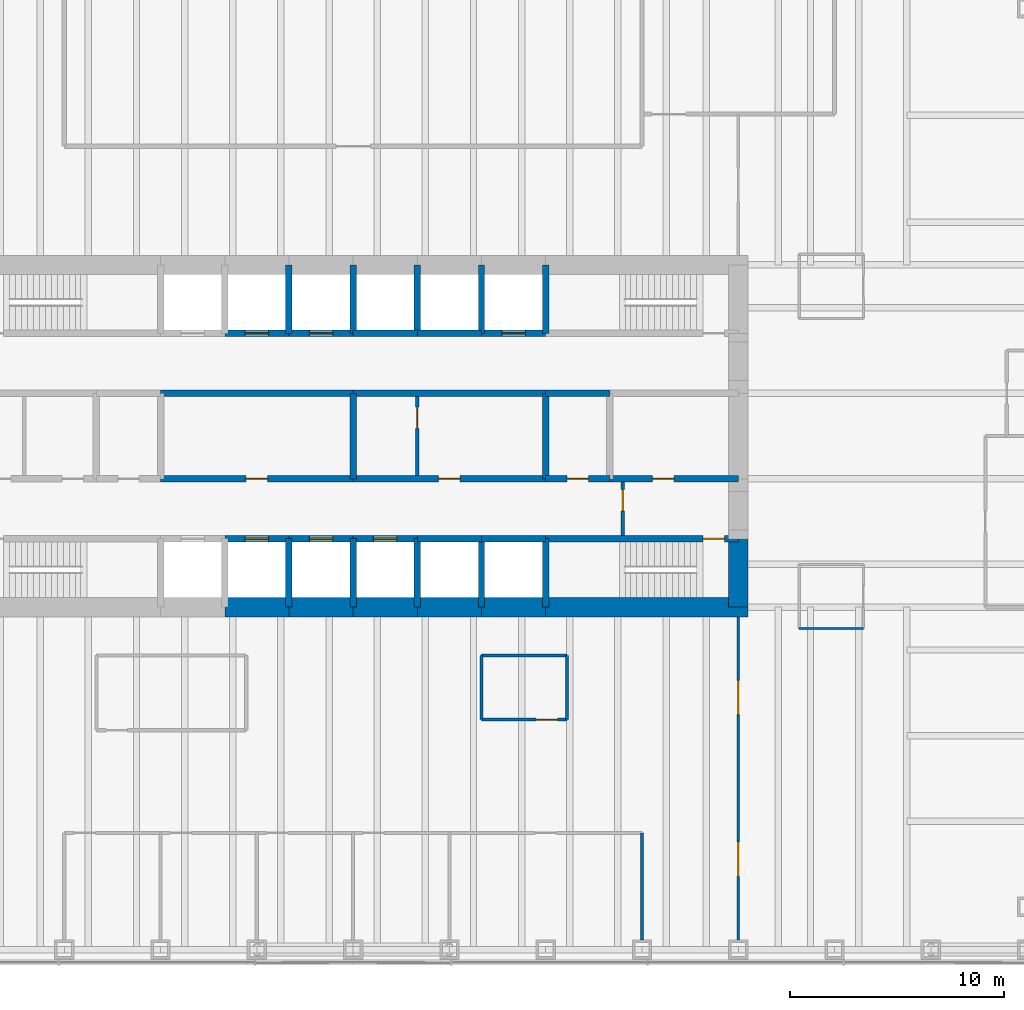
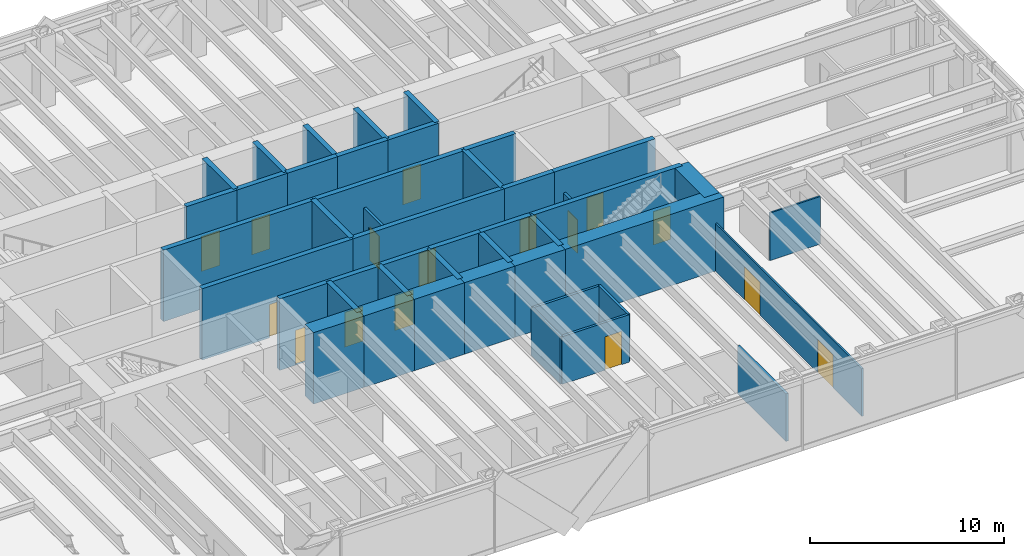
# One storey, part 10 of 13: 46 walls, 16 doors, 16 openings.
"""IFC4 building model written with IfcOpenShell, lengths in metres."""

from ifc_helpers import new_model, si_unit, direction, frame, frame_2d, origin, place, context, subcontext, project, spatial, rectangle, extrude, material, layer, layer_set, type_object, element, fill, save


model = new_model("IFC4")

# Units and contexts
model_context = context("Model", 3, precision=1e-05, world=origin(), true_north=direction((0.0, 1.0)))
body_context = subcontext(model_context, "Body", "Model", "MODEL_VIEW")
ifc_project = project(units=[si_unit("LENGTHUNIT", "METRE"), si_unit("AREAUNIT", "SQUARE_METRE"), si_unit("VOLUMEUNIT", "CUBIC_METRE"), si_unit("PLANEANGLEUNIT", "RADIAN"), si_unit("MASSUNIT", "GRAM", prefix="KILO")], contexts=[model_context])

# Site, building, storey
site_placement = place(None, origin())
site = spatial("IfcSite", under=ifc_project, at=site_placement, CompositionType="ELEMENT")
building_placement = place(site_placement, origin())
building = spatial("IfcBuilding", under=site, at=building_placement, Name="Rheinbord Bourse Tower", CompositionType="ELEMENT")
storey_placement = place(building_placement, frame((0.0, 0.0, 32.0)))
storey = spatial("IfcBuildingStorey", under=building, at=storey_placement, Name="L06", CompositionType="ELEMENT", Elevation=32.0)

# Wall, opening, door
ifc_material_1 = material(Name="Concrete C50/60", Category="concrete")
ifc_layer_1 = layer(ifc_material_1, 0.300048828125)
ifc_layer_set_1 = layer_set([ifc_layer_1], Name="CORE INNER WALL 300")
wall_type_1 = type_object("IfcWallType", Name="CORE INNER WALL 300", PredefinedType="SOLIDWALL", material=ifc_layer_set_1)
wall_1_placement = place(storey_placement, frame((30.0, 19.199951171875, 0.0), z_axis=(0.0, 0.0, 1.0), x_axis=(1.0, 0.0, 0.0)))
wall_1 = element("IfcWall", 1, at=wall_1_placement, inside=storey, type_object=wall_type_1, Name="Core wall A3 L06", PredefinedType="SOLIDWALL", context=body_context, shape_type="SweptSolid", body=[
    extrude(rectangle(XDim=3.0, YDim=0.300048828125, at=frame_2d((1.5, 0.0))), origin(), (0.0, 0.0, 1.0), 4.5),
])
opening_1_placement = place(wall_1_placement, frame((0.949951171875, 0.0, 0.0)))
opening_1 = element("IfcOpeningElement", 2, at=opening_1_placement, cuts=wall_1, Name="Opening PA1", PredefinedType="OPENING", context=body_context, shape_type="SweptSolid", body=[
    extrude(rectangle(XDim=1.10009765625, YDim=2.199951171875, at=frame_2d((0.550048828125, 1.10009765625))), frame((0.0, 0.159912109375, 0.0), z_axis=(0.0, -1.0, 0.0), x_axis=(1.0, 0.0, 0.0)), (0.0, 0.0, 1.0), 0.320068359375),
])
ifc_material_2 = material(Name="Steel landing door", Category="steel")
door_type_1 = type_object("IfcDoorType", Name="LIFT LANDING DOOR 1100", OperationType="DOUBLE_DOOR_SLIDING", PredefinedType="USERDEFINED", material=ifc_material_2)
door_1_placement = place(opening_1_placement, origin())
door_1 = element("IfcDoor", 3, at=door_1_placement, inside=storey, type_object=door_type_1, Name="Lift landing door PA1 L06", ObjectType="LIFT LANDING DOOR", OperationType="DOUBLE_DOOR_SLIDING", OverallHeight=2.199951171875, OverallWidth=1.10009765625, PredefinedType="USERDEFINED", context=body_context, shape_type="SweptSolid", body=[
    extrude(rectangle(XDim=1.10009765625, YDim=2.199951171875, at=frame_2d((0.550048828125, 1.10009765625))), frame((0.0, 0.02490234375, 0.0), z_axis=(0.0, -1.0, 0.0), x_axis=(1.0, 0.0, 0.0)), (0.0, 0.0, 1.0), 0.050048828125),
])
fill(opening_1, door_1)

wall_2_placement = place(storey_placement, frame((33.0, 19.199951171875, 0.0), z_axis=(0.0, 0.0, 1.0), x_axis=(1.0, 0.0, 0.0)))
wall_2 = element("IfcWall", 4, at=wall_2_placement, inside=storey, type_object=wall_type_1, Name="Core wall A4 L06", PredefinedType="SOLIDWALL", context=body_context, shape_type="SweptSolid", body=[
    extrude(rectangle(XDim=3.0, YDim=0.300048828125, at=frame_2d((1.5, 0.0))), origin(), (0.0, 0.0, 1.0), 4.5),
])
opening_2_placement = place(wall_2_placement, frame((0.949951171875, 0.0, 0.0)))
opening_2 = element("IfcOpeningElement", 5, at=opening_2_placement, cuts=wall_2, Name="Opening PA2", PredefinedType="OPENING", context=body_context, shape_type="SweptSolid", body=[
    extrude(rectangle(XDim=1.10009765625, YDim=2.199951171875, at=frame_2d((0.550048828125, 1.10009765625))), frame((0.0, 0.159912109375, 0.0), z_axis=(0.0, -1.0, 0.0), x_axis=(1.0, 0.0, 0.0)), (0.0, 0.0, 1.0), 0.320068359375),
])
door_2_placement = place(opening_2_placement, origin())
door_2 = element("IfcDoor", 6, at=door_2_placement, inside=storey, type_object=door_type_1, Name="Lift landing door PA2 L06", ObjectType="LIFT LANDING DOOR", OperationType="DOUBLE_DOOR_SLIDING", OverallHeight=2.199951171875, OverallWidth=1.10009765625, PredefinedType="USERDEFINED", context=body_context, shape_type="SweptSolid", body=[
    extrude(rectangle(XDim=1.10009765625, YDim=2.199951171875, at=frame_2d((0.550048828125, 1.10009765625))), frame((0.0, 0.02490234375, 0.0), z_axis=(0.0, -1.0, 0.0), x_axis=(1.0, 0.0, 0.0)), (0.0, 0.0, 1.0), 0.050048828125),
])
fill(opening_2, door_2)

wall_3_placement = place(storey_placement, frame((36.0, 19.199951171875, 0.0), z_axis=(0.0, 0.0, 1.0), x_axis=(1.0, 0.0, 0.0)))
wall_3 = element("IfcWall", 7, at=wall_3_placement, inside=storey, type_object=wall_type_1, Name="Core wall A5 L06", PredefinedType="SOLIDWALL", context=body_context, shape_type="SweptSolid", body=[
    extrude(rectangle(XDim=3.0, YDim=0.300048828125, at=frame_2d((1.5, 0.0))), origin(), (0.0, 0.0, 1.0), 4.5),
])
opening_3_placement = place(wall_3_placement, frame((0.949951171875, 0.0, 0.0)))
opening_3 = element("IfcOpeningElement", 8, at=opening_3_placement, cuts=wall_3, Name="Opening PA3", PredefinedType="OPENING", context=body_context, shape_type="SweptSolid", body=[
    extrude(rectangle(XDim=1.10009765625, YDim=2.199951171875, at=frame_2d((0.550048828125, 1.10009765625))), frame((0.0, 0.159912109375, 0.0), z_axis=(0.0, -1.0, 0.0), x_axis=(1.0, 0.0, 0.0)), (0.0, 0.0, 1.0), 0.320068359375),
])
door_3_placement = place(opening_3_placement, origin())
door_3 = element("IfcDoor", 9, at=door_3_placement, inside=storey, type_object=door_type_1, Name="Lift landing door PA3 L06", ObjectType="LIFT LANDING DOOR", OperationType="DOUBLE_DOOR_SLIDING", OverallHeight=2.199951171875, OverallWidth=1.10009765625, PredefinedType="USERDEFINED", context=body_context, shape_type="SweptSolid", body=[
    extrude(rectangle(XDim=1.10009765625, YDim=2.199951171875, at=frame_2d((0.550048828125, 1.10009765625))), frame((0.0, 0.02490234375, 0.0), z_axis=(0.0, -1.0, 0.0), x_axis=(1.0, 0.0, 0.0)), (0.0, 0.0, 1.0), 0.050048828125),
])
fill(opening_3, door_3)

# Walls
for number, where, z_axis, x_axis, name in (
    (10, (39.0, 19.199951171875, 0.0), (0.0, 0.0, 1.0), (1.0, 0.0, 0.0), "Core wall A6 L06"),
    (11, (42.0, 19.199951171875, 0.0), (0.0, 0.0, 1.0), (1.0, 0.0, 0.0), "Core wall A7 L06"),
):
    element("IfcWall", number, at=place(storey_placement, frame(where, z_axis=z_axis, x_axis=x_axis)), inside=storey, type_object=wall_type_1, Name=name, PredefinedType="SOLIDWALL", context=body_context, shape_type="SweptSolid", body=[
        extrude(rectangle(XDim=3.0, YDim=0.300048828125, at=frame_2d((1.5, 0.0))), origin(), (0.0, 0.0, 1.0), 4.5),
    ])

# Wall, opening, door
wall_4_placement = place(storey_placement, frame((45.0, 19.199951171875, 0.0), z_axis=(0.0, 0.0, 1.0), x_axis=(1.0, 0.0, 0.0)))
wall_4 = element("IfcWall", 12, at=wall_4_placement, inside=storey, type_object=wall_type_1, Name="Core wall A8 L06", PredefinedType="SOLIDWALL", context=body_context, shape_type="SweptSolid", body=[
    extrude(rectangle(XDim=9.0, YDim=0.300048828125, at=frame_2d((4.5, 0.0))), origin(), (0.0, 0.0, 1.0), 4.5),
])
opening_4_placement = place(wall_4_placement, frame((7.35009765625, 0.0, 0.0)))
opening_4 = element("IfcOpeningElement", 13, at=opening_4_placement, cuts=wall_4, Name="Opening 0630", PredefinedType="OPENING", context=body_context, shape_type="SweptSolid", body=[
    extrude(rectangle(XDim=1.0, YDim=2.10009765625, at=frame_2d((0.5, 1.050048828125))), frame((0.0, 0.159912109375, 0.0), z_axis=(0.0, -1.0, 0.0), x_axis=(1.0, 0.0, 0.0)), (0.0, 0.0, 1.0), 0.320068359375),
])
ifc_material_3 = material(Name="Steel door", Category="steel")
door_type_2 = type_object("IfcDoorType", Name="DOOR 1000 EI30", OperationType="SINGLE_SWING_LEFT", PredefinedType="DOOR", material=ifc_material_3)
door_4_placement = place(opening_4_placement, origin())
door_4 = element("IfcDoor", 14, at=door_4_placement, inside=storey, type_object=door_type_2, Name="Stair door ST3 L06", OperationType="SINGLE_SWING_RIGHT", OverallHeight=2.10009765625, OverallWidth=1.0, PredefinedType="DOOR", context=body_context, shape_type="SweptSolid", body=[
    extrude(rectangle(XDim=1.0, YDim=2.10009765625, at=frame_2d((0.5, 1.050048828125))), frame((0.0, 0.02490234375, 0.0), z_axis=(0.0, -1.0, 0.0), x_axis=(1.0, 0.0, 0.0)), (0.0, 0.0, 1.0), 0.050048828125),
])
fill(opening_4, door_4)

wall_5_placement = place(storey_placement, frame((30.0, 28.800048828125, 0.0), z_axis=(0.0, 0.0, 1.0), x_axis=(1.0, 0.0, 0.0)))
wall_5 = element("IfcWall", 15, at=wall_5_placement, inside=storey, type_object=wall_type_1, Name="Core wall B3 L06", PredefinedType="SOLIDWALL", context=body_context, shape_type="SweptSolid", body=[
    extrude(rectangle(XDim=3.0, YDim=0.300048828125, at=frame_2d((1.5, 0.0))), origin(), (0.0, 0.0, 1.0), 4.5),
])
opening_5_placement = place(wall_5_placement, frame((0.949951171875, 0.0, 0.0)))
opening_5 = element("IfcOpeningElement", 16, at=opening_5_placement, cuts=wall_5, Name="Opening PA4", PredefinedType="OPENING", context=body_context, shape_type="SweptSolid", body=[
    extrude(rectangle(XDim=1.10009765625, YDim=2.199951171875, at=frame_2d((0.550048828125, 1.10009765625))), frame((0.0, 0.159912109375, 0.0), z_axis=(0.0, -1.0, 0.0), x_axis=(1.0, 0.0, 0.0)), (0.0, 0.0, 1.0), 0.320068359375),
])
door_5_placement = place(opening_5_placement, origin())
door_5 = element("IfcDoor", 17, at=door_5_placement, inside=storey, type_object=door_type_1, Name="Lift landing door PA4 L06", ObjectType="LIFT LANDING DOOR", OperationType="DOUBLE_DOOR_SLIDING", OverallHeight=2.199951171875, OverallWidth=1.10009765625, PredefinedType="USERDEFINED", context=body_context, shape_type="SweptSolid", body=[
    extrude(rectangle(XDim=1.10009765625, YDim=2.199951171875, at=frame_2d((0.550048828125, 1.10009765625))), frame((0.0, 0.02490234375, 0.0), z_axis=(0.0, -1.0, 0.0), x_axis=(1.0, 0.0, 0.0)), (0.0, 0.0, 1.0), 0.050048828125),
])
fill(opening_5, door_5)

wall_6_placement = place(storey_placement, frame((33.0, 28.800048828125, 0.0), z_axis=(0.0, 0.0, 1.0), x_axis=(1.0, 0.0, 0.0)))
wall_6 = element("IfcWall", 18, at=wall_6_placement, inside=storey, type_object=wall_type_1, Name="Core wall B4 L06", PredefinedType="SOLIDWALL", context=body_context, shape_type="SweptSolid", body=[
    extrude(rectangle(XDim=3.0, YDim=0.300048828125, at=frame_2d((1.5, 0.0))), origin(), (0.0, 0.0, 1.0), 4.5),
])
opening_6_placement = place(wall_6_placement, frame((0.949951171875, 0.0, 0.0)))
opening_6 = element("IfcOpeningElement", 19, at=opening_6_placement, cuts=wall_6, Name="Opening PA5", PredefinedType="OPENING", context=body_context, shape_type="SweptSolid", body=[
    extrude(rectangle(XDim=1.10009765625, YDim=2.199951171875, at=frame_2d((0.550048828125, 1.10009765625))), frame((0.0, 0.159912109375, 0.0), z_axis=(0.0, -1.0, 0.0), x_axis=(1.0, 0.0, 0.0)), (0.0, 0.0, 1.0), 0.320068359375),
])
door_6_placement = place(opening_6_placement, origin())
door_6 = element("IfcDoor", 20, at=door_6_placement, inside=storey, type_object=door_type_1, Name="Lift landing door PA5 L06", ObjectType="LIFT LANDING DOOR", OperationType="DOUBLE_DOOR_SLIDING", OverallHeight=2.199951171875, OverallWidth=1.10009765625, PredefinedType="USERDEFINED", context=body_context, shape_type="SweptSolid", body=[
    extrude(rectangle(XDim=1.10009765625, YDim=2.199951171875, at=frame_2d((0.550048828125, 1.10009765625))), frame((0.0, 0.02490234375, 0.0), z_axis=(0.0, -1.0, 0.0), x_axis=(1.0, 0.0, 0.0)), (0.0, 0.0, 1.0), 0.050048828125),
])
fill(opening_6, door_6)

# Walls
for number, where, z_axis, x_axis, name in (
    (21, (36.0, 28.800048828125, 0.0), (0.0, 0.0, 1.0), (1.0, 0.0, 0.0), "Core wall B5 L06"),
    (22, (39.0, 28.800048828125, 0.0), (0.0, 0.0, 1.0), (1.0, 0.0, 0.0), "Core wall B6 L06"),
):
    element("IfcWall", number, at=place(storey_placement, frame(where, z_axis=z_axis, x_axis=x_axis)), inside=storey, type_object=wall_type_1, Name=name, PredefinedType="SOLIDWALL", context=body_context, shape_type="SweptSolid", body=[
        extrude(rectangle(XDim=3.0, YDim=0.300048828125, at=frame_2d((1.5, 0.0))), origin(), (0.0, 0.0, 1.0), 4.5),
    ])

# Wall, opening, door
wall_7_placement = place(storey_placement, frame((42.0, 28.800048828125, 0.0), z_axis=(0.0, 0.0, 1.0), x_axis=(1.0, 0.0, 0.0)))
wall_7 = element("IfcWall", 23, at=wall_7_placement, inside=storey, type_object=wall_type_1, Name="Core wall B7 L06", PredefinedType="SOLIDWALL", context=body_context, shape_type="SweptSolid", body=[
    extrude(rectangle(XDim=3.0, YDim=0.300048828125, at=frame_2d((1.5, 0.0))), origin(), (0.0, 0.0, 1.0), 4.5),
])
opening_7_placement = place(wall_7_placement, frame((0.949951171875, 0.0, 0.0)))
opening_7 = element("IfcOpeningElement", 24, at=opening_7_placement, cuts=wall_7, Name="Opening FL2", PredefinedType="OPENING", context=body_context, shape_type="SweptSolid", body=[
    extrude(rectangle(XDim=1.10009765625, YDim=2.199951171875, at=frame_2d((0.550048828125, 1.10009765625))), frame((0.0, 0.159912109375, 0.0), z_axis=(0.0, -1.0, 0.0), x_axis=(1.0, 0.0, 0.0)), (0.0, 0.0, 1.0), 0.320068359375),
])
door_7_placement = place(opening_7_placement, origin())
door_7 = element("IfcDoor", 25, at=door_7_placement, inside=storey, type_object=door_type_1, Name="Lift landing door FL2 L06", ObjectType="LIFT LANDING DOOR", OperationType="DOUBLE_DOOR_SLIDING", OverallHeight=2.199951171875, OverallWidth=1.10009765625, PredefinedType="USERDEFINED", context=body_context, shape_type="SweptSolid", body=[
    extrude(rectangle(XDim=1.10009765625, YDim=2.199951171875, at=frame_2d((0.550048828125, 1.10009765625))), frame((0.0, 0.02490234375, 0.0), z_axis=(0.0, -1.0, 0.0), x_axis=(1.0, 0.0, 0.0)), (0.0, 0.0, 1.0), 0.050048828125),
])
fill(opening_7, door_7)

wall_8_placement = place(storey_placement, frame((27.0, 22.0, 0.0), z_axis=(0.0, 0.0, 1.0), x_axis=(1.0, 0.0, 0.0)))
wall_8 = element("IfcWall", 26, at=wall_8_placement, inside=storey, type_object=wall_type_1, Name="Core wall C3 L06", PredefinedType="SOLIDWALL", context=body_context, shape_type="SweptSolid", body=[
    extrude(rectangle(XDim=9.0, YDim=0.300048828125, at=frame_2d((4.5, 0.0))), origin(), (0.0, 0.0, 1.0), 4.5),
])
opening_8_placement = place(wall_8_placement, frame((4.0, 0.0, 0.0)))
opening_8 = element("IfcOpeningElement", 27, at=opening_8_placement, cuts=wall_8, Name="Opening 06R3", PredefinedType="OPENING", context=body_context, shape_type="SweptSolid", body=[
    extrude(rectangle(XDim=1.0, YDim=2.10009765625, at=frame_2d((0.5, 1.050048828125))), frame((0.0, 0.159912109375, 0.0), z_axis=(0.0, -1.0, 0.0), x_axis=(1.0, 0.0, 0.0)), (0.0, 0.0, 1.0), 0.320068359375),
])
door_8_placement = place(opening_8_placement, origin())
door_8 = element("IfcDoor", 28, at=door_8_placement, inside=storey, type_object=door_type_2, Name="Riser door L06", OperationType="SINGLE_SWING_LEFT", OverallHeight=2.10009765625, OverallWidth=1.0, PredefinedType="DOOR", context=body_context, shape_type="SweptSolid", body=[
    extrude(rectangle(XDim=1.0, YDim=2.10009765625, at=frame_2d((0.5, 1.050048828125))), frame((0.0, 0.02490234375, 0.0), z_axis=(0.0, -1.0, 0.0), x_axis=(1.0, 0.0, 0.0)), (0.0, 0.0, 1.0), 0.050048828125),
])
fill(opening_8, door_8)

wall_9_placement = place(storey_placement, frame((36.0, 22.0, 0.0), z_axis=(0.0, 0.0, 1.0), x_axis=(1.0, 0.0, 0.0)))
wall_9 = element("IfcWall", 29, at=wall_9_placement, inside=storey, type_object=wall_type_1, Name="Core wall C4 L06", PredefinedType="SOLIDWALL", context=body_context, shape_type="SweptSolid", body=[
    extrude(rectangle(XDim=9.0, YDim=0.300048828125, at=frame_2d((4.5, 0.0))), origin(), (0.0, 0.0, 1.0), 4.5),
])
opening_9_placement = place(wall_9_placement, frame((4.0, 0.0, 0.0)))
opening_9 = element("IfcOpeningElement", 30, at=opening_9_placement, cuts=wall_9, Name="Opening 06R4", PredefinedType="OPENING", context=body_context, shape_type="SweptSolid", body=[
    extrude(rectangle(XDim=1.0, YDim=2.10009765625, at=frame_2d((0.5, 1.050048828125))), frame((0.0, 0.159912109375, 0.0), z_axis=(0.0, -1.0, 0.0), x_axis=(1.0, 0.0, 0.0)), (0.0, 0.0, 1.0), 0.320068359375),
])
door_9_placement = place(opening_9_placement, origin())
door_9 = element("IfcDoor", 31, at=door_9_placement, inside=storey, type_object=door_type_2, Name="Pantry door L06", OperationType="SINGLE_SWING_LEFT", OverallHeight=2.10009765625, OverallWidth=1.0, PredefinedType="DOOR", context=body_context, shape_type="SweptSolid", body=[
    extrude(rectangle(XDim=1.0, YDim=2.10009765625, at=frame_2d((0.5, 1.050048828125))), frame((0.0, 0.02490234375, 0.0), z_axis=(0.0, -1.0, 0.0), x_axis=(1.0, 0.0, 0.0)), (0.0, 0.0, 1.0), 0.050048828125),
])
fill(opening_9, door_9)

wall_10_placement = place(storey_placement, frame((45.0, 22.0, 0.0), z_axis=(0.0, 0.0, 1.0), x_axis=(1.0, 0.0, 0.0)))
wall_10 = element("IfcWall", 32, at=wall_10_placement, inside=storey, type_object=wall_type_1, Name="Core wall C5 L06", PredefinedType="SOLIDWALL", context=body_context, shape_type="SweptSolid", body=[
    extrude(rectangle(XDim=3.0, YDim=0.300048828125, at=frame_2d((1.5, 0.0))), origin(), (0.0, 0.0, 1.0), 4.5),
])
opening_10_placement = place(wall_10_placement, frame((1.0, 0.0, 0.0)))
opening_10 = element("IfcOpeningElement", 33, at=opening_10_placement, cuts=wall_10, Name="Opening 06R5", PredefinedType="OPENING", context=body_context, shape_type="SweptSolid", body=[
    extrude(rectangle(XDim=1.0, YDim=2.10009765625, at=frame_2d((0.5, 1.050048828125))), frame((0.0, 0.159912109375, 0.0), z_axis=(0.0, -1.0, 0.0), x_axis=(1.0, 0.0, 0.0)), (0.0, 0.0, 1.0), 0.320068359375),
])
ifc_material_4 = material(Name="Timber door", Category="wood")
door_type_3 = type_object("IfcDoorType", Name="DOOR 1000 WC", OperationType="SINGLE_SWING_LEFT", PredefinedType="DOOR", material=ifc_material_4)
door_10_placement = place(opening_10_placement, origin())
door_10 = element("IfcDoor", 34, at=door_10_placement, inside=storey, type_object=door_type_3, Name="Accessible WC door L06", OperationType="SINGLE_SWING_LEFT", OverallHeight=2.10009765625, OverallWidth=1.0, PredefinedType="DOOR", context=body_context, shape_type="SweptSolid", body=[
    extrude(rectangle(XDim=1.0, YDim=2.10009765625, at=frame_2d((0.5, 1.050048828125))), frame((0.0, 0.02490234375, 0.0), z_axis=(0.0, -1.0, 0.0), x_axis=(1.0, 0.0, 0.0)), (0.0, 0.0, 1.0), 0.050048828125),
])
fill(opening_10, door_10)

wall_11_placement = place(storey_placement, frame((48.0, 22.0, 0.0), z_axis=(0.0, 0.0, 1.0), x_axis=(1.0, 0.0, 0.0)))
wall_11 = element("IfcWall", 35, at=wall_11_placement, inside=storey, type_object=wall_type_1, Name="Core wall C6 L06", PredefinedType="SOLIDWALL", context=body_context, shape_type="SweptSolid", body=[
    extrude(rectangle(XDim=6.0, YDim=0.300048828125, at=frame_2d((3.0, 0.0))), origin(), (0.0, 0.0, 1.0), 4.5),
])
opening_11_placement = place(wall_11_placement, frame((2.0, 0.0, 0.0)))
opening_11 = element("IfcOpeningElement", 36, at=opening_11_placement, cuts=wall_11, Name="Opening 06R6", PredefinedType="OPENING", context=body_context, shape_type="SweptSolid", body=[
    extrude(rectangle(XDim=1.0, YDim=2.10009765625, at=frame_2d((0.5, 1.050048828125))), frame((0.0, 0.159912109375, 0.0), z_axis=(0.0, -1.0, 0.0), x_axis=(1.0, 0.0, 0.0)), (0.0, 0.0, 1.0), 0.320068359375),
])
door_11_placement = place(opening_11_placement, origin())
door_11 = element("IfcDoor", 37, at=door_11_placement, inside=storey, type_object=door_type_3, Name="WC women door L06", OperationType="SINGLE_SWING_LEFT", OverallHeight=2.10009765625, OverallWidth=1.0, PredefinedType="DOOR", context=body_context, shape_type="SweptSolid", body=[
    extrude(rectangle(XDim=1.0, YDim=2.10009765625, at=frame_2d((0.5, 1.050048828125))), frame((0.0, 0.02490234375, 0.0), z_axis=(0.0, -1.0, 0.0), x_axis=(1.0, 0.0, 0.0)), (0.0, 0.0, 1.0), 0.050048828125),
])
fill(opening_11, door_11)

# Walls
for number, where, z_axis, x_axis, name in (
    (38, (27.0, 26.0, 0.0), (0.0, 0.0, 1.0), (1.0, 0.0, 0.0), "Core wall D3 L06"),
    (39, (36.0, 26.0, 0.0), (0.0, 0.0, 1.0), (1.0, 0.0, 0.0), "Core wall D4 L06"),
):
    element("IfcWall", number, at=place(storey_placement, frame(where, z_axis=z_axis, x_axis=x_axis)), inside=storey, type_object=wall_type_1, Name=name, PredefinedType="SOLIDWALL", context=body_context, shape_type="SweptSolid", body=[
        extrude(rectangle(XDim=9.0, YDim=0.300048828125, at=frame_2d((4.5, 0.0))), origin(), (0.0, 0.0, 1.0), 4.5),
    ])
wall_12_placement = place(storey_placement, frame((45.0, 26.0, 0.0), z_axis=(0.0, 0.0, 1.0), x_axis=(1.0, 0.0, 0.0)))
element("IfcWall", 40, at=wall_12_placement, inside=storey, type_object=wall_type_1, Name="Core wall D5 L06", PredefinedType="SOLIDWALL", context=body_context, shape_type="SweptSolid", body=[
    extrude(rectangle(XDim=3.0, YDim=0.300048828125, at=frame_2d((1.5, 0.0))), origin(), (0.0, 0.0, 1.0), 4.5),
])
for number, where, z_axis, x_axis, name in (
    (41, (33.0, 16.0, 0.0), (0.0, 0.0, 1.0), (0.0, 1.0, 0.0), "Core wall SX33 L06"),
    (42, (33.0, 28.800048828125, 0.0), (0.0, 0.0, 1.0), (0.0, 1.0, 0.0), "Core wall NX33 L06"),
    (43, (36.0, 16.0, 0.0), (0.0, 0.0, 1.0), (0.0, 1.0, 0.0), "Core wall SX36 L06"),
    (44, (36.0, 28.800048828125, 0.0), (0.0, 0.0, 1.0), (0.0, 1.0, 0.0), "Core wall NX36 L06"),
    (45, (39.0, 16.0, 0.0), (0.0, 0.0, 1.0), (0.0, 1.0, 0.0), "Core wall SX39 L06"),
    (46, (39.0, 28.800048828125, 0.0), (0.0, 0.0, 1.0), (0.0, 1.0, 0.0), "Core wall NX39 L06"),
    (47, (42.0, 16.0, 0.0), (0.0, 0.0, 1.0), (0.0, 1.0, 0.0), "Core wall SX42 L06"),
    (48, (42.0, 28.800048828125, 0.0), (0.0, 0.0, 1.0), (0.0, 1.0, 0.0), "Core wall NX42 L06"),
    (49, (45.0, 16.0, 0.0), (0.0, 0.0, 1.0), (0.0, 1.0, 0.0), "Core wall SX45 L06"),
    (50, (45.0, 28.800048828125, 0.0), (0.0, 0.0, 1.0), (0.0, 1.0, 0.0), "Core wall NX45 L06"),
):
    element("IfcWall", number, at=place(storey_placement, frame(where, z_axis=z_axis, x_axis=x_axis)), inside=storey, type_object=wall_type_1, Name=name, PredefinedType="SOLIDWALL", context=body_context, shape_type="SweptSolid", body=[
        extrude(rectangle(XDim=3.199951171875, YDim=0.300048828125, at=frame_2d((1.60009765625, 0.0))), origin(), (0.0, 0.0, 1.0), 4.5),
    ])
for number, where, z_axis, x_axis, name in (
    (51, (36.0, 22.0, 0.0), (0.0, 0.0, 1.0), (0.0, 1.0, 0.0), "Core wall MX36 L06"),
    (52, (45.0, 22.0, 0.0), (0.0, 0.0, 1.0), (0.0, 1.0, 0.0), "Core wall MX45 L06"),
):
    element("IfcWall", number, at=place(storey_placement, frame(where, z_axis=z_axis, x_axis=x_axis)), inside=storey, type_object=wall_type_1, Name=name, PredefinedType="SOLIDWALL", context=body_context, shape_type="SweptSolid", body=[
        extrude(rectangle(XDim=4.0, YDim=0.300048828125, at=frame_2d((2.0, 0.0))), origin(), (0.0, 0.0, 1.0), 4.5),
    ])

# Wall, opening, door
ifc_material_5 = material(Name="Gypsum board fire partition", Category="gypsum board")
ifc_layer_2 = layer(ifc_material_5, 0.14990234375)
ifc_layer_set_2 = layer_set([ifc_layer_2], Name="CORE PARTITION 150 EI30")
wall_type_2 = type_object("IfcWallType", Name="CORE PARTITION 150 EI30", PredefinedType="PARTITIONING", material=ifc_layer_set_2)
wall_13_placement = place(storey_placement, frame((39.0, 22.14990234375, 0.0), z_axis=(0.0, 0.0, 1.0), x_axis=(0.0, 1.0, 0.0)))
wall_13 = element("IfcWall", 53, at=wall_13_placement, inside=storey, type_object=wall_type_2, Name="Core partition L06-1", PredefinedType="PARTITIONING", context=body_context, shape_type="SweptSolid", body=[
    extrude(rectangle(XDim=3.7001953125, YDim=0.14990234375, at=frame_2d((1.85009765625, 0.0))), origin(), (0.0, 0.0, 1.0), 3.0),
])
opening_12_placement = place(wall_13_placement, frame((2.199951171875, 0.0, 0.0)))
opening_12 = element("IfcOpeningElement", 54, at=opening_12_placement, cuts=wall_13, Name="Opening 06R7", PredefinedType="OPENING", context=body_context, shape_type="SweptSolid", body=[
    extrude(rectangle(XDim=1.0, YDim=2.10009765625, at=frame_2d((0.5, 1.050048828125))), frame((0.0, 0.0849609375, 0.0), z_axis=(0.0, -1.0, 0.0), x_axis=(1.0, 0.0, 0.0)), (0.0, 0.0, 1.0), 0.169921875),
])
door_12_placement = place(opening_12_placement, origin())
door_12 = element("IfcDoor", 55, at=door_12_placement, inside=storey, type_object=door_type_2, Name="Cleaner's store door L06", OperationType="SINGLE_SWING_RIGHT", OverallHeight=2.10009765625, OverallWidth=1.0, PredefinedType="DOOR", context=body_context, shape_type="SweptSolid", body=[
    extrude(rectangle(XDim=1.0, YDim=2.10009765625, at=frame_2d((0.5, 1.050048828125))), frame((0.0, 0.02490234375, 0.0), z_axis=(0.0, -1.0, 0.0), x_axis=(1.0, 0.0, 0.0)), (0.0, 0.0, 1.0), 0.050048828125),
])
fill(opening_12, door_12)

wall_14_placement = place(storey_placement, frame((48.60009765625, 19.35009765625, 0.0), z_axis=(0.0, 0.0, 1.0), x_axis=(0.0, 1.0, 0.0)))
wall_14 = element("IfcWall", 56, at=wall_14_placement, inside=storey, type_object=wall_type_2, Name="Core partition L06-4", PredefinedType="PARTITIONING", context=body_context, shape_type="SweptSolid", body=[
    extrude(rectangle(XDim=2.5, YDim=0.14990234375, at=frame_2d((1.25, 0.0))), origin(), (0.0, 0.0, 1.0), 3.0),
])
opening_13_placement = place(wall_14_placement, frame((1.14990234375, 0.0, 0.0)))
opening_13 = element("IfcOpeningElement", 57, at=opening_13_placement, cuts=wall_14, Name="Opening 06L5", PredefinedType="OPENING", context=body_context, shape_type="SweptSolid", body=[
    extrude(rectangle(XDim=1.0, YDim=2.10009765625, at=frame_2d((0.5, 1.050048828125))), frame((0.0, 0.0849609375, 0.0), z_axis=(0.0, -1.0, 0.0), x_axis=(1.0, 0.0, 0.0)), (0.0, 0.0, 1.0), 0.169921875),
])
door_13_placement = place(opening_13_placement, origin())
door_13 = element("IfcDoor", 58, at=door_13_placement, inside=storey, type_object=door_type_2, Name="Stair lobby door L06", OperationType="SINGLE_SWING_RIGHT", OverallHeight=2.10009765625, OverallWidth=1.0, PredefinedType="DOOR", context=body_context, shape_type="SweptSolid", body=[
    extrude(rectangle(XDim=1.0, YDim=2.10009765625, at=frame_2d((0.5, 1.050048828125))), frame((0.0, 0.02490234375, 0.0), z_axis=(0.0, -1.0, 0.0), x_axis=(1.0, 0.0, 0.0)), (0.0, 0.0, 1.0), 0.050048828125),
])
fill(opening_13, door_13)

# Walls
ifc_material_6 = material(Name="Concrete C50/60", Category="concrete")
ifc_layer_3 = layer(ifc_material_6, 0.89990234375)
ifc_layer_set_3 = layer_set([ifc_layer_3], Name="CORE WALL 900")
wall_type_3 = type_object("IfcWallType", Name="CORE WALL 900", PredefinedType="SHEAR", material=ifc_layer_set_3)
for number, where, z_axis, x_axis, name in (
    (59, (30.0, 16.0, 0.0), (0.0, 0.0, 1.0), (1.0, 0.0, 0.0), "Core wall S3 L06"),
    (60, (33.0, 16.0, 0.0), (0.0, 0.0, 1.0), (1.0, 0.0, 0.0), "Core wall S4 L06"),
    (61, (36.0, 16.0, 0.0), (0.0, 0.0, 1.0), (1.0, 0.0, 0.0), "Core wall S5 L06"),
    (62, (39.0, 16.0, 0.0), (0.0, 0.0, 1.0), (1.0, 0.0, 0.0), "Core wall S6 L06"),
    (63, (42.0, 16.0, 0.0), (0.0, 0.0, 1.0), (1.0, 0.0, 0.0), "Core wall S7 L06"),
):
    element("IfcWall", number, at=place(storey_placement, frame(where, z_axis=z_axis, x_axis=x_axis)), inside=storey, type_object=wall_type_3, Name=name, PredefinedType="SHEAR", context=body_context, shape_type="SweptSolid", body=[
        extrude(rectangle(XDim=3.0, YDim=0.89990234375, at=frame_2d((1.5, 0.0))), origin(), (0.0, 0.0, 1.0), 4.5),
    ])
wall_15_placement = place(storey_placement, frame((45.0, 16.0, 0.0), z_axis=(0.0, 0.0, 1.0), x_axis=(1.0, 0.0, 0.0)))
element("IfcWall", 64, at=wall_15_placement, inside=storey, type_object=wall_type_3, Name="Core wall S8 L06", PredefinedType="SHEAR", context=body_context, shape_type="SweptSolid", body=[
    extrude(rectangle(XDim=9.449951171875, YDim=0.89990234375, at=frame_2d((4.72509765625, 0.0))), origin(), (0.0, 0.0, 1.0), 4.5),
])
wall_16_placement = place(storey_placement, frame((54.0, 16.0, 0.0), z_axis=(0.0, 0.0, 1.0), x_axis=(0.0, 1.0, 0.0)))
element("IfcWall", 65, at=wall_16_placement, inside=storey, type_object=wall_type_3, Name="Core wall E1 L06", PredefinedType="SHEAR", context=body_context, shape_type="SweptSolid", body=[
    extrude(rectangle(XDim=3.199951171875, YDim=0.89990234375, at=frame_2d((1.60009765625, 0.0))), origin(), (0.0, 0.0, 1.0), 4.5),
])
ifc_material_7 = material(Name="Toughened laminated glass partition", Category="glass")
ifc_layer_4 = layer(ifc_material_7, 0.10009765625)
ifc_layer_set_4 = layer_set([ifc_layer_4], Name="GLAZED PARTITION 100")
wall_type_4 = type_object("IfcWallType", Name="GLAZED PARTITION 100", PredefinedType="PARTITIONING", material=ifc_layer_set_4)
wall_17_placement = place(storey_placement, frame((56.85009765625, 15.0, 0.0), z_axis=(0.0, 0.0, 1.0), x_axis=(1.0, 0.0, 0.0)))
element("IfcWall", 66, at=wall_17_placement, inside=storey, type_object=wall_type_4, Name="Partition L06-06", PredefinedType="PARTITIONING", context=body_context, shape_type="SweptSolid", body=[
    extrude(rectangle(XDim=3.0, YDim=0.10009765625, at=frame_2d((1.5, 0.0))), origin(), (0.0, 0.0, 1.0), 3.0),
])

# Wall, openings, doors
wall_18_placement = place(storey_placement, frame((54.0, 0.449951171875, 0.0), z_axis=(0.0, 0.0, 1.0), x_axis=(0.0, 1.0, 0.0)))
wall_18 = element("IfcWall", 67, at=wall_18_placement, inside=storey, type_object=wall_type_4, Name="Partition L06-32", PredefinedType="PARTITIONING", context=body_context, shape_type="SweptSolid", body=[
    extrude(rectangle(XDim=15.10009765625, YDim=0.10009765625, at=frame_2d((7.550048828125, 0.0))), origin(), (0.0, 0.0, 1.0), 3.0),
])
opening_14_placement = place(wall_18_placement, frame((2.97509765625, 0.0, 0.0)))
opening_14 = element("IfcOpeningElement", 68, at=opening_14_placement, cuts=wall_18, Name="Opening 06D19", PredefinedType="OPENING", context=body_context, shape_type="SweptSolid", body=[
    extrude(rectangle(XDim=1.60009765625, YDim=2.10009765625, at=frame_2d((0.800048828125, 1.050048828125))), frame((0.0, 0.06005859375, 0.0), z_axis=(0.0, -1.0, 0.0), x_axis=(1.0, 0.0, 0.0)), (0.0, 0.0, 1.0), 0.1201171875),
])
opening_15_placement = place(wall_18_placement, frame((10.52490234375, 0.0, 0.0)))
opening_15 = element("IfcOpeningElement", 69, at=opening_15_placement, cuts=wall_18, Name="Opening 06D20", PredefinedType="OPENING", context=body_context, shape_type="SweptSolid", body=[
    extrude(rectangle(XDim=1.60009765625, YDim=2.10009765625, at=frame_2d((0.800048828125, 1.050048828125))), frame((0.0, 0.06005859375, 0.0), z_axis=(0.0, -1.0, 0.0), x_axis=(1.0, 0.0, 0.0)), (0.0, 0.0, 1.0), 0.1201171875),
])
ifc_material_8 = material(Name="Timber door", Category="wood")
door_type_4 = type_object("IfcDoorType", Name="DOUBLE ROOM DOOR 1600", OperationType="DOUBLE_DOOR_DOUBLE_SWING", PredefinedType="DOOR", material=ifc_material_8)
door_14_placement = place(opening_14_placement, origin())
door_14 = element("IfcDoor", 70, at=door_14_placement, inside=storey, type_object=door_type_4, Name="Open area door L06", OperationType="SINGLE_SWING_LEFT", OverallHeight=2.10009765625, OverallWidth=1.60009765625, PredefinedType="DOOR", context=body_context, shape_type="SweptSolid", body=[
    extrude(rectangle(XDim=1.60009765625, YDim=2.10009765625, at=frame_2d((0.800048828125, 1.050048828125))), frame((0.0, 0.02490234375, 0.0), z_axis=(0.0, -1.0, 0.0), x_axis=(1.0, 0.0, 0.0)), (0.0, 0.0, 1.0), 0.050048828125),
])
fill(opening_14, door_14)
door_15_placement = place(opening_15_placement, origin())
door_15 = element("IfcDoor", 71, at=door_15_placement, inside=storey, type_object=door_type_4, Name="Open area door L06", OperationType="SINGLE_SWING_LEFT", OverallHeight=2.10009765625, OverallWidth=1.60009765625, PredefinedType="DOOR", context=body_context, shape_type="SweptSolid", body=[
    extrude(rectangle(XDim=1.60009765625, YDim=2.10009765625, at=frame_2d((0.800048828125, 1.050048828125))), frame((0.0, 0.02490234375, 0.0), z_axis=(0.0, -1.0, 0.0), x_axis=(1.0, 0.0, 0.0)), (0.0, 0.0, 1.0), 0.050048828125),
])
fill(opening_15, door_15)

# Wall, opening, door
ifc_material_9 = material(Name="Gypsum board partition", Category="gypsum board")
ifc_layer_5 = layer(ifc_material_9, 0.14990234375)
ifc_layer_set_5 = layer_set([ifc_layer_5], Name="PARTITION 150")
wall_type_5 = type_object("IfcWallType", Name="PARTITION 150", PredefinedType="PARTITIONING", material=ifc_layer_set_5)
wall_19_placement = place(storey_placement, frame((42.0, 10.75, 0.0), z_axis=(0.0, 0.0, 1.0), x_axis=(1.0, 0.0, 0.0)))
wall_19 = element("IfcWall", 72, at=wall_19_placement, inside=storey, type_object=wall_type_5, Name="Partition L06-03", PredefinedType="PARTITIONING", context=body_context, shape_type="SweptSolid", body=[
    extrude(rectangle(XDim=4.0, YDim=0.14990234375, at=frame_2d((2.0, 0.0))), origin(), (0.0, 0.0, 1.0), 3.0),
])
opening_16_placement = place(wall_19_placement, frame((2.550048828125, 0.0, 0.0)))
opening_16 = element("IfcOpeningElement", 73, at=opening_16_placement, cuts=wall_19, Name="Opening 06D07", PredefinedType="OPENING", context=body_context, shape_type="SweptSolid", body=[
    extrude(rectangle(XDim=1.0, YDim=2.10009765625, at=frame_2d((0.5, 1.050048828125))), frame((0.0, 0.0849609375, 0.0), z_axis=(0.0, -1.0, 0.0), x_axis=(1.0, 0.0, 0.0)), (0.0, 0.0, 1.0), 0.169921875),
])
ifc_material_10 = material(Name="Timber door", Category="wood")
door_type_5 = type_object("IfcDoorType", Name="ROOM DOOR 1000", OperationType="SINGLE_SWING_LEFT", PredefinedType="DOOR", material=ifc_material_10)
door_16_placement = place(opening_16_placement, origin())
door_16 = element("IfcDoor", 74, at=door_16_placement, inside=storey, type_object=door_type_5, Name="Print room door L06", OperationType="SINGLE_SWING_RIGHT", OverallHeight=2.10009765625, OverallWidth=1.0, PredefinedType="DOOR", context=body_context, shape_type="SweptSolid", body=[
    extrude(rectangle(XDim=1.0, YDim=2.10009765625, at=frame_2d((0.5, 1.050048828125))), frame((0.0, 0.02490234375, 0.0), z_axis=(0.0, -1.0, 0.0), x_axis=(1.0, 0.0, 0.0)), (0.0, 0.0, 1.0), 0.050048828125),
])
fill(opening_16, door_16)

# Walls
wall_20_placement = place(storey_placement, frame((42.0, 13.75, 0.0), z_axis=(0.0, 0.0, 1.0), x_axis=(1.0, 0.0, 0.0)))
element("IfcWall", 75, at=wall_20_placement, inside=storey, type_object=wall_type_5, Name="Partition L06-05", PredefinedType="PARTITIONING", context=body_context, shape_type="SweptSolid", body=[
    extrude(rectangle(XDim=4.0, YDim=0.14990234375, at=frame_2d((2.0, 0.0))), origin(), (0.0, 0.0, 1.0), 3.0),
])
for number, where, z_axis, x_axis, name in (
    (76, (42.0, 10.75, 0.0), (0.0, 0.0, 1.0), (0.0, 1.0, 0.0), "Partition L06-28"),
    (77, (46.0, 10.75, 0.0), (0.0, 0.0, 1.0), (0.0, 1.0, 0.0), "Partition L06-29"),
):
    element("IfcWall", number, at=place(storey_placement, frame(where, z_axis=z_axis, x_axis=x_axis)), inside=storey, type_object=wall_type_5, Name=name, PredefinedType="PARTITIONING", context=body_context, shape_type="SweptSolid", body=[
        extrude(rectangle(XDim=3.0, YDim=0.14990234375, at=frame_2d((1.5, 0.0))), origin(), (0.0, 0.0, 1.0), 3.0),
    ])
wall_21_placement = place(storey_placement, frame((49.5, 0.449951171875, 0.0), z_axis=(0.0, 0.0, 1.0), x_axis=(0.0, 1.0, 0.0)))
element("IfcWall", 78, at=wall_21_placement, inside=storey, type_object=wall_type_5, Name="Partition L06-30", PredefinedType="PARTITIONING", context=body_context, shape_type="SweptSolid", body=[
    extrude(rectangle(XDim=5.0, YDim=0.14990234375, at=frame_2d((2.5, 0.0))), origin(), (0.0, 0.0, 1.0), 3.0),
])

save(model, "model.ifc")
